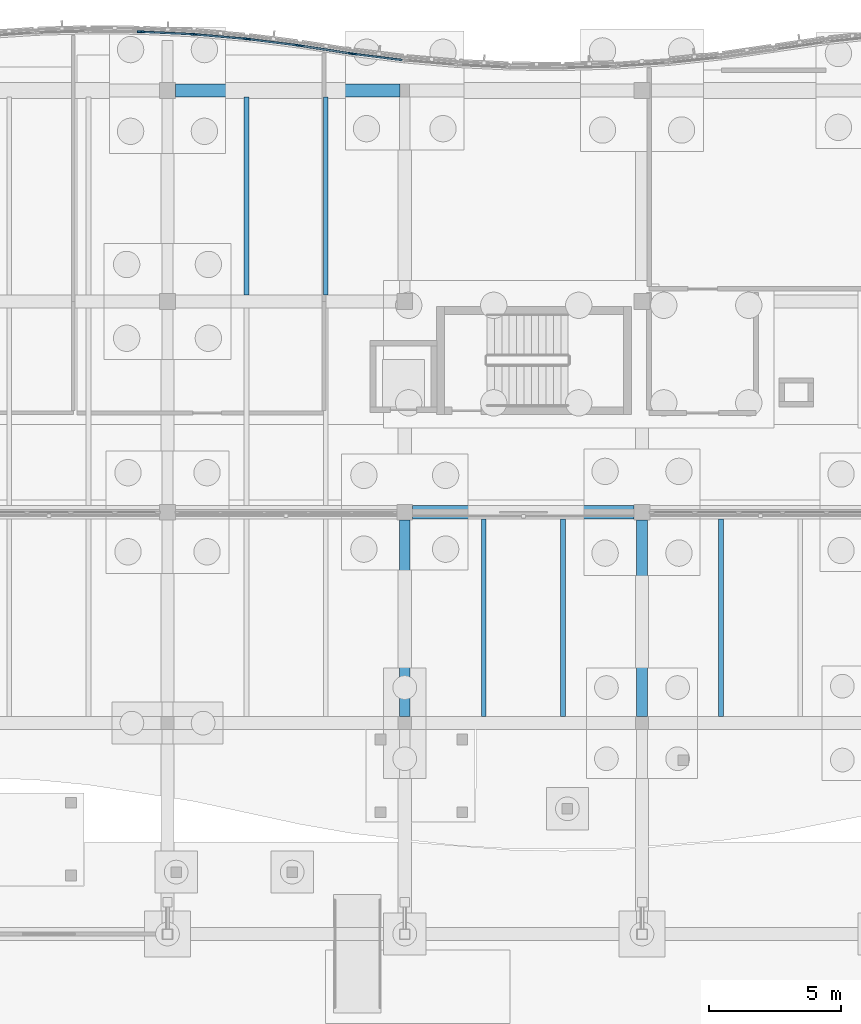
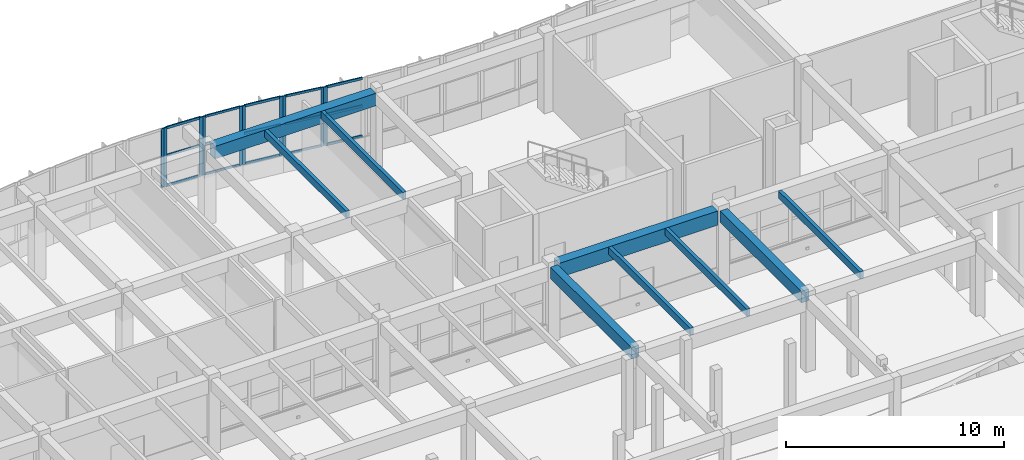
# One storey, part 34 of 99: 25 members, 9 beams, 6 elements without a shape of their own.
"""IFC4 building model written with IfcOpenShell, lengths in metres."""

from ifc_helpers import new_model, si_unit, direction, frame, origin, origin_2d, place, context, subcontext, project, spatial, rectangle, extrude, material, layer, layer_set, material_profile, profile_set, type_object, element, aggregate, save


model = new_model("IFC4")

# Units and contexts
model_context = context("Model", 3, precision=1e-05, world=origin(), true_north=direction((0.0, 1.0)))
body_context = subcontext(model_context, "Body", "Model", "MODEL_VIEW")
ifc_project = project(units=[si_unit("LENGTHUNIT", "METRE"), si_unit("AREAUNIT", "SQUARE_METRE"), si_unit("VOLUMEUNIT", "CUBIC_METRE"), si_unit("PLANEANGLEUNIT", "RADIAN"), si_unit("MASSUNIT", "GRAM", prefix="KILO")], contexts=[model_context])

# Site, building, storey
site_placement = place(None, origin())
site = spatial("IfcSite", under=ifc_project, at=site_placement, CompositionType="ELEMENT")
building_placement = place(site_placement, origin())
building = spatial("IfcBuilding", under=site, at=building_placement, Name="Tonlespit Floodbar School", CompositionType="ELEMENT")
storey_placement = place(building_placement, origin())
storey = spatial("IfcBuildingStorey", under=building, at=storey_placement, Name="L00", CompositionType="ELEMENT", Elevation=0.0)

# Beams
ifc_material_1 = material(Name="Concrete C40/50", Category="concrete")
ifc_material_profile_1 = material_profile(ifc_material_1, rectangle(XDim=0.39990234375, YDim=0.64990234375, at=origin_2d()), Name="RC 400x650")
ifc_profile_set_1 = profile_set([ifc_material_profile_1], Name="Concrete C40/50")
beam_type_1 = type_object("IfcBeamType", Name="Beam_RC_400x650", PredefinedType="BEAM", material=ifc_profile_set_1)
for number, where, z_axis, x_axis, name in (
    (1, (98.0, 96.25, 3.9150390625), (0.0, 1.0, 0.0), (-1.0, 0.0, 0.0), "L00 girder 0253"),
    (2, (107.0, 96.25, 3.9150390625), (0.0, 1.0, 0.0), (-1.0, 0.0, 0.0), "L00 girder 0256"),
):
    element("IfcBeam", number, at=place(storey_placement, frame(where, z_axis=z_axis, x_axis=x_axis)), inside=storey, type_object=beam_type_1, Name=name, PredefinedType="BEAM", context=body_context, shape_type="SweptSolid", body=[
        extrude(rectangle(XDim=0.39990234375, YDim=0.64990234375, at=origin_2d()), origin(), (0.0, 0.0, 1.0), 7.449951171875),
    ])
ifc_material_profile_2 = material_profile(ifc_material_1, rectangle(XDim=0.5, YDim=0.800048828125, at=origin_2d()), Name="RC 500x800")
ifc_profile_set_2 = profile_set([ifc_material_profile_2], Name="Concrete C40/50")
beam_type_2 = type_object("IfcBeamType", Name="Beam_RC_500x800", PredefinedType="BEAM", material=ifc_profile_set_2)
beam_1_placement = place(storey_placement, frame((98.300048828125, 104.0, 3.840087890625), z_axis=(1.0, 0.0, 0.0), x_axis=(0.0, 1.0, 0.0)))
element("IfcBeam", 3, at=beam_1_placement, inside=storey, type_object=beam_type_2, Name="L00 girder 0130", PredefinedType="BEAM", context=body_context, shape_type="SweptSolid", body=[
    extrude(rectangle(XDim=0.5, YDim=0.800048828125, at=origin_2d()), origin(), (0.0, 0.0, 1.0), 8.39990234375),
])

# Curtain wall, member
ifc_material_2 = material(Name="Anodised Aluminium", Category="aluminium")
ifc_layer_1 = layer(ifc_material_2, 0.159912109375)
ifc_layer_set_1 = layer_set([ifc_layer_1], Name="Anodised Aluminium")
curtain_wall_type_1 = type_object("IfcCurtainWallType", Name="CurtainWall_1900x3300", PredefinedType="NOTDEFINED", material=ifc_layer_set_1)
curtain_wall_1_placement = place(storey_placement, origin())
curtain_wall_1 = element("IfcCurtainWall", 4, at=curtain_wall_1_placement, inside=storey, type_object=curtain_wall_type_1, Name="L00 unitised curtain wall 0020", PredefinedType="NOTDEFINED")
ifc_material_profile_3 = material_profile(ifc_material_2, rectangle(XDim=0.06494140625, YDim=0.14990234375, at=origin_2d()), Name="ALU M65x150")
ifc_profile_set_3 = profile_set([ifc_material_profile_3], Name="Anodised Aluminium")
member_type_1 = type_object("IfcMemberType", Name="CW_Mullion_65x150", PredefinedType="MULLION", material=ifc_profile_set_3)
member_1_placement = place(storey_placement, frame((87.927490234375, 122.228515625, 0.949951171875), z_axis=(0.0, 0.0, 1.0), x_axis=(0.009582893292, 0.999954083024, 0.0)))
member_1 = element("IfcMember", 5, at=member_1_placement, type_object=member_type_1, Name="CW-02 mullion 2", PredefinedType="MULLION", context=body_context, shape_type="SweptSolid", body=[
    extrude(rectangle(XDim=0.06494140625, YDim=0.14990234375, at=origin_2d()), origin(), (0.0, 0.0, 1.0), 3.2900390625),
])
aggregate(curtain_wall_1, [member_1])

# Curtain wall, members
ifc_layer_2 = layer(ifc_material_2, 0.159912109375)
ifc_layer_set_2 = layer_set([ifc_layer_2], Name="Anodised Aluminium")
curtain_wall_type_2 = type_object("IfcCurtainWallType", Name="CurtainWall_1950x3300", PredefinedType="NOTDEFINED", material=ifc_layer_set_2)
curtain_wall_2_placement = place(storey_placement, origin())
curtain_wall_2 = element("IfcCurtainWall", 6, at=curtain_wall_2_placement, inside=storey, type_object=curtain_wall_type_2, Name="L00 unitised curtain wall 0022", PredefinedType="NOTDEFINED")
member_2_placement = place(storey_placement, frame((90.072265625, 122.125244140625, 0.949951171875), z_axis=(0.0, 0.0, 1.0), x_axis=(0.086531117454, 0.996249148412, 0.0)))
member_2 = element("IfcMember", 7, at=member_2_placement, type_object=member_type_1, Name="CW-01 mullion 1", PredefinedType="MULLION", context=body_context, shape_type="SweptSolid", body=[
    extrude(rectangle(XDim=0.06494140625, YDim=0.14990234375, at=origin_2d()), origin(), (0.0, 0.0, 1.0), 3.2900390625),
])
member_3_placement = place(storey_placement, frame((91.927734375, 121.964111328125, 0.949951171875), z_axis=(0.0, 0.0, 1.0), x_axis=(0.086531117454, 0.996249148412, 0.0)))
member_3 = element("IfcMember", 8, at=member_3_placement, type_object=member_type_1, Name="CW-01 mullion 2", PredefinedType="MULLION", context=body_context, shape_type="SweptSolid", body=[
    extrude(rectangle(XDim=0.06494140625, YDim=0.14990234375, at=origin_2d()), origin(), (0.0, 0.0, 1.0), 3.2900390625),
])

curtain_wall_3_placement = place(storey_placement, origin())
curtain_wall_3 = element("IfcCurtainWall", 9, at=curtain_wall_3_placement, inside=storey, type_object=curtain_wall_type_2, Name="L00 unitised curtain wall 0024", PredefinedType="NOTDEFINED")
member_4_placement = place(storey_placement, frame((94.071533203125, 121.694580078125, 0.949951171875), z_axis=(0.0, 0.0, 1.0), x_axis=(0.153796288585, 0.988102576465, 0.0)))
member_4 = element("IfcMember", 10, at=member_4_placement, type_object=member_type_1, Name="CW-01 mullion 1", PredefinedType="MULLION", context=body_context, shape_type="SweptSolid", body=[
    extrude(rectangle(XDim=0.06494140625, YDim=0.14990234375, at=origin_2d()), origin(), (0.0, 0.0, 1.0), 3.2900390625),
])
member_5_placement = place(storey_placement, frame((95.928466796875, 121.405517578125, 0.949951171875), z_axis=(0.0, 0.0, 1.0), x_axis=(0.153796288585, 0.988102576465, 0.0)))
member_5 = element("IfcMember", 11, at=member_5_placement, type_object=member_type_1, Name="CW-01 mullion 2", PredefinedType="MULLION", context=body_context, shape_type="SweptSolid", body=[
    extrude(rectangle(XDim=0.06494140625, YDim=0.14990234375, at=origin_2d()), origin(), (0.0, 0.0, 1.0), 3.2900390625),
])

curtain_wall_4_placement = place(storey_placement, origin())
curtain_wall_4 = element("IfcCurtainWall", 12, at=curtain_wall_4_placement, inside=storey, type_object=curtain_wall_type_1, Name="L00 unitised curtain wall 0021", PredefinedType="NOTDEFINED")
ifc_material_profile_4 = material_profile(ifc_material_2, rectangle(XDim=0.06494140625, YDim=0.179931640625, at=origin_2d()), Name="ALU M65x180")
ifc_profile_set_4 = profile_set([ifc_material_profile_4], Name="Anodised Aluminium")
member_type_2 = type_object("IfcMemberType", Name="CW_Mullion_65x180", PredefinedType="MULLION", material=ifc_profile_set_4)
member_6_placement = place(storey_placement, frame((88.072509765625, 122.224365234375, 0.949951171875), z_axis=(0.0, 0.0, 1.0), x_axis=(0.048121270216, 0.998841500616, 0.0)))
member_6 = element("IfcMember", 13, at=member_6_placement, type_object=member_type_2, Name="CW-02 mullion 1", PredefinedType="MULLION", context=body_context, shape_type="SweptSolid", body=[
    extrude(rectangle(XDim=0.06494140625, YDim=0.179931640625, at=origin_2d()), origin(), (0.0, 0.0, 1.0), 3.2900390625),
])
member_7_placement = place(storey_placement, frame((89.927490234375, 122.135009765625, 0.949951171875), z_axis=(0.0, 0.0, 1.0), x_axis=(0.048121270216, 0.998841500616, 0.0)))
member_7 = element("IfcMember", 14, at=member_7_placement, type_object=member_type_2, Name="CW-02 mullion 2", PredefinedType="MULLION", context=body_context, shape_type="SweptSolid", body=[
    extrude(rectangle(XDim=0.06494140625, YDim=0.179931640625, at=origin_2d()), origin(), (0.0, 0.0, 1.0), 3.2900390625),
])

curtain_wall_5_placement = place(storey_placement, origin())
curtain_wall_5 = element("IfcCurtainWall", 15, at=curtain_wall_5_placement, inside=storey, type_object=curtain_wall_type_2, Name="L00 unitised curtain wall 0023", PredefinedType="NOTDEFINED")
member_8_placement = place(storey_placement, frame((92.072021484375, 121.94873046875, 0.949951171875), z_axis=(0.0, 0.0, 1.0), x_axis=(0.125013803299, 0.992155002499, 0.0)))
member_8 = element("IfcMember", 16, at=member_8_placement, type_object=member_type_2, Name="CW-01 mullion 1", PredefinedType="MULLION", context=body_context, shape_type="SweptSolid", body=[
    extrude(rectangle(XDim=0.06494140625, YDim=0.179931640625, at=origin_2d()), origin(), (0.0, 0.0, 1.0), 3.2900390625),
])
member_9_placement = place(storey_placement, frame((93.927978515625, 121.71484375, 0.949951171875), z_axis=(0.0, 0.0, 1.0), x_axis=(0.125013803299, 0.992155002499, 0.0)))
member_9 = element("IfcMember", 17, at=member_9_placement, type_object=member_type_2, Name="CW-01 mullion 2", PredefinedType="MULLION", context=body_context, shape_type="SweptSolid", body=[
    extrude(rectangle(XDim=0.06494140625, YDim=0.179931640625, at=origin_2d()), origin(), (0.0, 0.0, 1.0), 3.2900390625),
])

# Curtain wall, member
curtain_wall_6_placement = place(storey_placement, origin())
curtain_wall_6 = element("IfcCurtainWall", 18, at=curtain_wall_6_placement, inside=storey, type_object=curtain_wall_type_2, Name="L00 unitised curtain wall 0025", PredefinedType="NOTDEFINED")
member_10_placement = place(storey_placement, frame((96.072021484375, 121.38525390625, 0.949951171875), z_axis=(0.0, 0.0, 1.0), x_axis=(0.125013803299, 0.992155002499, 0.0)))
member_10 = element("IfcMember", 19, at=member_10_placement, type_object=member_type_2, Name="CW-01 mullion 1", PredefinedType="MULLION", context=body_context, shape_type="SweptSolid", body=[
    extrude(rectangle(XDim=0.06494140625, YDim=0.179931640625, at=origin_2d()), origin(), (0.0, 0.0, 1.0), 3.2900390625),
])

# Member
ifc_material_profile_5 = material_profile(ifc_material_2, rectangle(XDim=0.06494140625, YDim=0.1201171875, at=origin_2d()), Name="ALU T65x120")
ifc_profile_set_5 = profile_set([ifc_material_profile_5], Name="Anodised Aluminium")
member_type_3 = type_object("IfcMemberType", Name="CW_Transom_65x120", PredefinedType="USERDEFINED", material=ifc_profile_set_5)
member_11_placement = place(storey_placement, frame((90.1044921875, 122.122314453125, 0.982421875), z_axis=(0.996251281774, -0.086506552139, 0.0), x_axis=(0.086506552139, 0.996251281774, 0.0)))
member_11 = element("IfcMember", 20, at=member_11_placement, type_object=member_type_3, Name="CW-01 transom 1.1", ObjectType="TRANSOM", PredefinedType="USERDEFINED", context=body_context, shape_type="SweptSolid", body=[
    extrude(rectangle(XDim=0.06494140625, YDim=0.1201171875, at=origin_2d()), origin(), (0.0, 0.0, 1.0), 1.7978515625),
])

member_12_placement = place(storey_placement, frame((90.1044921875, 122.122314453125, 2.660888671875), z_axis=(0.996251281774, -0.086506552139, 0.0), x_axis=(0.086506552139, 0.996251281774, 0.0)))
member_12 = element("IfcMember", 21, at=member_12_placement, type_object=member_type_3, Name="CW-01 transom 1.2", ObjectType="TRANSOM", PredefinedType="USERDEFINED", context=body_context, shape_type="SweptSolid", body=[
    extrude(rectangle(XDim=0.06494140625, YDim=0.1201171875, at=origin_2d()), origin(), (0.0, 0.0, 1.0), 1.7978515625),
])

member_13_placement = place(storey_placement, frame((90.1044921875, 122.122314453125, 4.20751953125), z_axis=(0.996251281774, -0.086506552139, 0.0), x_axis=(0.086506552139, 0.996251281774, 0.0)))
member_13 = element("IfcMember", 22, at=member_13_placement, type_object=member_type_3, Name="CW-01 transom 1.3", ObjectType="TRANSOM", PredefinedType="USERDEFINED", context=body_context, shape_type="SweptSolid", body=[
    extrude(rectangle(XDim=0.06494140625, YDim=0.1201171875, at=origin_2d()), origin(), (0.0, 0.0, 1.0), 1.7978515625),
])

aggregate(curtain_wall_2, [member_2, member_3, member_11, member_12, member_13])

member_14_placement = place(storey_placement, frame((94.103759765625, 121.689453125, 0.982421875), z_axis=(0.988097838313, -0.15382672694, 0.0), x_axis=(0.15382672694, 0.988097838313, 0.0)))
member_14 = element("IfcMember", 23, at=member_14_placement, type_object=member_type_3, Name="CW-01 transom 1.1", ObjectType="TRANSOM", PredefinedType="USERDEFINED", context=body_context, shape_type="SweptSolid", body=[
    extrude(rectangle(XDim=0.06494140625, YDim=0.1201171875, at=origin_2d()), origin(), (0.0, 0.0, 1.0), 1.81396484375),
])

member_15_placement = place(storey_placement, frame((94.103759765625, 121.689453125, 2.660888671875), z_axis=(0.988097838313, -0.15382672694, 0.0), x_axis=(0.15382672694, 0.988097838313, 0.0)))
member_15 = element("IfcMember", 24, at=member_15_placement, type_object=member_type_3, Name="CW-01 transom 1.2", ObjectType="TRANSOM", PredefinedType="USERDEFINED", context=body_context, shape_type="SweptSolid", body=[
    extrude(rectangle(XDim=0.06494140625, YDim=0.1201171875, at=origin_2d()), origin(), (0.0, 0.0, 1.0), 1.81396484375),
])

member_16_placement = place(storey_placement, frame((94.103759765625, 121.689453125, 4.20751953125), z_axis=(0.988097838313, -0.15382672694, 0.0), x_axis=(0.15382672694, 0.988097838313, 0.0)))
member_16 = element("IfcMember", 25, at=member_16_placement, type_object=member_type_3, Name="CW-01 transom 1.3", ObjectType="TRANSOM", PredefinedType="USERDEFINED", context=body_context, shape_type="SweptSolid", body=[
    extrude(rectangle(XDim=0.06494140625, YDim=0.1201171875, at=origin_2d()), origin(), (0.0, 0.0, 1.0), 1.81396484375),
])

aggregate(curtain_wall_3, [member_4, member_5, member_14, member_15, member_16])

ifc_material_profile_6 = material_profile(ifc_material_2, rectangle(XDim=0.06494140625, YDim=0.139892578125, at=origin_2d()), Name="ALU T65x140")
ifc_profile_set_6 = profile_set([ifc_material_profile_6], Name="Anodised Aluminium")
member_type_4 = type_object("IfcMemberType", Name="CW_Transom_65x140", PredefinedType="USERDEFINED", material=ifc_profile_set_6)
member_17_placement = place(storey_placement, frame((88.10498046875, 122.22265625, 0.982421875), z_axis=(0.998843034795, -0.048089415069, 0.0), x_axis=(0.048089415069, 0.998843034795, 0.0)))
member_17 = element("IfcMember", 26, at=member_17_placement, type_object=member_type_4, Name="CW-02 transom 1.1", ObjectType="TRANSOM", PredefinedType="USERDEFINED", context=body_context, shape_type="SweptSolid", body=[
    extrude(rectangle(XDim=0.06494140625, YDim=0.139892578125, at=origin_2d()), origin(), (0.0, 0.0, 1.0), 1.7919921875),
])

member_18_placement = place(storey_placement, frame((88.10498046875, 122.22265625, 2.660888671875), z_axis=(0.998843034795, -0.048089415069, 0.0), x_axis=(0.048089415069, 0.998843034795, 0.0)))
member_18 = element("IfcMember", 27, at=member_18_placement, type_object=member_type_4, Name="CW-02 transom 1.2", ObjectType="TRANSOM", PredefinedType="USERDEFINED", context=body_context, shape_type="SweptSolid", body=[
    extrude(rectangle(XDim=0.06494140625, YDim=0.139892578125, at=origin_2d()), origin(), (0.0, 0.0, 1.0), 1.7919921875),
])

member_19_placement = place(storey_placement, frame((88.10498046875, 122.22265625, 4.20751953125), z_axis=(0.998843034795, -0.048089415069, 0.0), x_axis=(0.048089415069, 0.998843034795, 0.0)))
member_19 = element("IfcMember", 28, at=member_19_placement, type_object=member_type_4, Name="CW-02 transom 1.3", ObjectType="TRANSOM", PredefinedType="USERDEFINED", context=body_context, shape_type="SweptSolid", body=[
    extrude(rectangle(XDim=0.06494140625, YDim=0.139892578125, at=origin_2d()), origin(), (0.0, 0.0, 1.0), 1.7919921875),
])

aggregate(curtain_wall_4, [member_6, member_7, member_17, member_18, member_19])

member_20_placement = place(storey_placement, frame((92.104248046875, 121.944580078125, 0.982421875), z_axis=(0.992148373735, -0.125066400341, 0.0), x_axis=(0.125066400341, 0.992148373735, 0.0)))
member_20 = element("IfcMember", 29, at=member_20_placement, type_object=member_type_4, Name="CW-01 transom 1.1", ObjectType="TRANSOM", PredefinedType="USERDEFINED", context=body_context, shape_type="SweptSolid", body=[
    extrude(rectangle(XDim=0.06494140625, YDim=0.139892578125, at=origin_2d()), origin(), (0.0, 0.0, 1.0), 1.8056640625),
])

member_21_placement = place(storey_placement, frame((92.104248046875, 121.944580078125, 2.660888671875), z_axis=(0.992148373735, -0.125066400341, 0.0), x_axis=(0.125066400341, 0.992148373735, 0.0)))
member_21 = element("IfcMember", 30, at=member_21_placement, type_object=member_type_4, Name="CW-01 transom 1.2", ObjectType="TRANSOM", PredefinedType="USERDEFINED", context=body_context, shape_type="SweptSolid", body=[
    extrude(rectangle(XDim=0.06494140625, YDim=0.139892578125, at=origin_2d()), origin(), (0.0, 0.0, 1.0), 1.8056640625),
])

member_22_placement = place(storey_placement, frame((92.104248046875, 121.944580078125, 4.20751953125), z_axis=(0.992148373735, -0.125066400341, 0.0), x_axis=(0.125066400341, 0.992148373735, 0.0)))
member_22 = element("IfcMember", 31, at=member_22_placement, type_object=member_type_4, Name="CW-01 transom 1.3", ObjectType="TRANSOM", PredefinedType="USERDEFINED", context=body_context, shape_type="SweptSolid", body=[
    extrude(rectangle(XDim=0.06494140625, YDim=0.139892578125, at=origin_2d()), origin(), (0.0, 0.0, 1.0), 1.8056640625),
])

aggregate(curtain_wall_5, [member_8, member_9, member_20, member_21, member_22])

member_23_placement = place(storey_placement, frame((96.104248046875, 121.381103515625, 0.982421875), z_axis=(0.992165142165, -0.124933304901, 0.0), x_axis=(0.124933304901, 0.992165142165, 0.0)))
member_23 = element("IfcMember", 32, at=member_23_placement, type_object=member_type_4, Name="CW-01 transom 1.1", ObjectType="TRANSOM", PredefinedType="USERDEFINED", context=body_context, shape_type="SweptSolid", body=[
    extrude(rectangle(XDim=0.06494140625, YDim=0.139892578125, at=origin_2d()), origin(), (0.0, 0.0, 1.0), 1.8056640625),
])

member_24_placement = place(storey_placement, frame((96.104248046875, 121.381103515625, 2.660888671875), z_axis=(0.992165142165, -0.124933304901, 0.0), x_axis=(0.124933304901, 0.992165142165, 0.0)))
member_24 = element("IfcMember", 33, at=member_24_placement, type_object=member_type_4, Name="CW-01 transom 1.2", ObjectType="TRANSOM", PredefinedType="USERDEFINED", context=body_context, shape_type="SweptSolid", body=[
    extrude(rectangle(XDim=0.06494140625, YDim=0.139892578125, at=origin_2d()), origin(), (0.0, 0.0, 1.0), 1.8056640625),
])

member_25_placement = place(storey_placement, frame((96.104248046875, 121.381103515625, 4.20751953125), z_axis=(0.992165142165, -0.124933304901, 0.0), x_axis=(0.124933304901, 0.992165142165, 0.0)))
member_25 = element("IfcMember", 34, at=member_25_placement, type_object=member_type_4, Name="CW-01 transom 1.3", ObjectType="TRANSOM", PredefinedType="USERDEFINED", context=body_context, shape_type="SweptSolid", body=[
    extrude(rectangle(XDim=0.06494140625, YDim=0.139892578125, at=origin_2d()), origin(), (0.0, 0.0, 1.0), 1.8056640625),
])

aggregate(curtain_wall_6, [member_10, member_23, member_24, member_25])

# Beams
ifc_material_3 = material(Name="Glulam GL28h", Category="wood")
ifc_material_profile_7 = material_profile(ifc_material_3, rectangle(XDim=0.179931640625, YDim=0.39990234375, at=origin_2d()), Name="GL 180x400")
ifc_profile_set_7 = profile_set([ifc_material_profile_7], Name="Glulam GL28h")
beam_type_3 = type_object("IfcBeamType", Name="Joist_GL_180x400", PredefinedType="JOIST", material=ifc_profile_set_7)
for number, where, z_axis, x_axis, name in (
    (35, (101.0, 96.25, 4.0400390625), (0.0, 1.0, 0.0), (-1.0, 0.0, 0.0), "L00 secondary joist 0492"),
    (36, (104.0, 96.25, 4.0400390625), (0.0, 1.0, 0.0), (-1.0, 0.0, 0.0), "L00 secondary joist 0493"),
    (37, (110.0, 96.25, 4.0400390625), (0.0, 1.0, 0.0), (-1.0, 0.0, 0.0), "L00 secondary joist 0494"),
    (38, (92.0, 112.25, 4.0400390625), (0.0, 1.0, 0.0), (-1.0, 0.0, 0.0), "L00 secondary joist 0529"),
    (39, (95.0, 112.25, 4.0400390625), (0.0, 1.0, 0.0), (-1.0, 0.0, 0.0), "L00 secondary joist 0530"),
):
    element("IfcBeam", number, at=place(storey_placement, frame(where, z_axis=z_axis, x_axis=x_axis)), inside=storey, type_object=beam_type_3, Name=name, PredefinedType="JOIST", context=body_context, shape_type="SweptSolid", body=[
        extrude(rectangle(XDim=0.179931640625, YDim=0.39990234375, at=origin_2d()), origin(), (0.0, 0.0, 1.0), 7.5),
    ])
ifc_material_profile_8 = material_profile(ifc_material_1, rectangle(XDim=0.5, YDim=0.699951171875, at=origin_2d()), Name="RC 500x700")
ifc_profile_set_8 = profile_set([ifc_material_profile_8], Name="Concrete C40/50")
beam_type_4 = type_object("IfcBeamType", Name="Spandrel_RC_500x700", PredefinedType="SPANDREL", material=ifc_profile_set_8)
beam_2_placement = place(storey_placement, frame((89.300048828125, 120.0, 3.889892578125), z_axis=(1.0, 0.0, 0.0), x_axis=(0.0, 1.0, 0.0)))
element("IfcBeam", 40, at=beam_2_placement, inside=storey, type_object=beam_type_4, Name="L00 girder 0156", PredefinedType="SPANDREL", context=body_context, shape_type="SweptSolid", body=[
    extrude(rectangle(XDim=0.5, YDim=0.699951171875, at=origin_2d()), origin(), (0.0, 0.0, 1.0), 8.52490234375),
])

save(model, "model.ifc")
